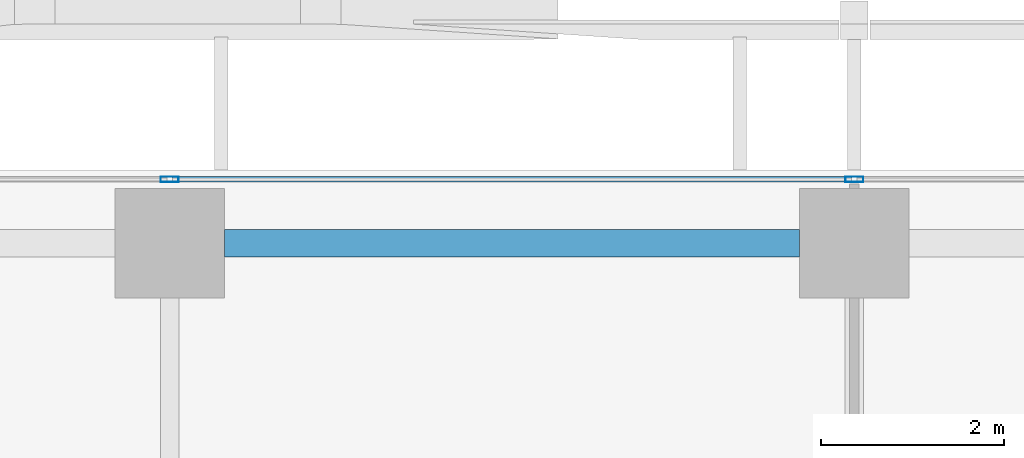
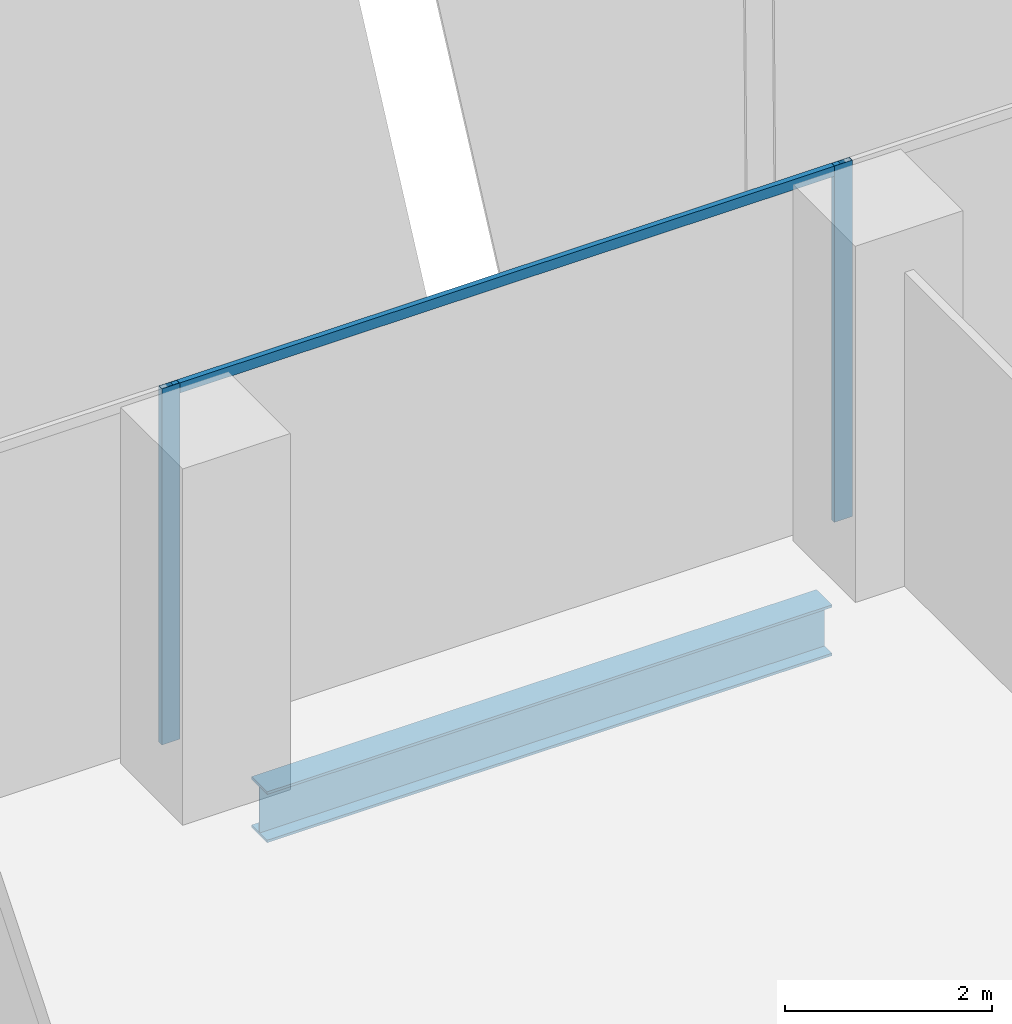
# One storey, part 18 of 34: 3 members, 1 beam, 1 element without a shape of its own.
"""IFC4 building model written with IfcOpenShell, lengths in metres."""

from ifc_helpers import new_model, si_unit, direction, frame, origin, origin_2d, place, context, subcontext, project, spatial, hollow_rectangle, i_section, extrude, source, transform, mapped, material, material_profile, profile_set, type_object, element, aggregate, save


model = new_model("IFC4")

# Units and contexts
model_context = context("Model", 3, precision=1e-05, world=origin(), true_north=direction((0.0, 1.0)))
body_context = subcontext(model_context, "Body", "Model", "MODEL_VIEW")
ifc_project = project(units=[si_unit("LENGTHUNIT", "METRE"), si_unit("AREAUNIT", "SQUARE_METRE"), si_unit("VOLUMEUNIT", "CUBIC_METRE"), si_unit("PLANEANGLEUNIT", "RADIAN"), si_unit("MASSUNIT", "GRAM", prefix="KILO")], contexts=[model_context])

# Site, building, storey
site_placement = place(None, origin())
site = spatial("IfcSite", under=ifc_project, at=site_placement, CompositionType="ELEMENT")
building_placement = place(site_placement, origin())
building = spatial("IfcBuilding", under=site, at=building_placement, Name="Khomas Fold Tower", CompositionType="ELEMENT")
storey_placement = place(building_placement, frame((0.0, 0.0, 73.5)))
storey = spatial("IfcBuildingStorey", under=building, at=storey_placement, Name="L15", CompositionType="ELEMENT", Elevation=73.5)

# Beam
ifc_material_1 = material(Name="Steel S355", Category="steel")
ifc_material_profile_1 = material_profile(ifc_material_1, i_section(OverallWidth=0.300048828125, OverallDepth=0.60009765625, WebThickness=0.015380859375, FlangeThickness=0.030029296875, at=origin_2d()), Name="HE 600 B")
ifc_profile_set_1 = profile_set([ifc_material_profile_1], Name="Steel S355")
beam_type = type_object("IfcBeamType", Name="HE 600 B spandrel SB1", PredefinedType="SPANDREL", material=ifc_profile_set_1)
shared_shape_1 = source(origin(), body_context, "Body", "SweptSolid", [
    extrude(i_section(OverallWidth=0.300048828125, OverallDepth=0.60009765625, WebThickness=0.015380859375, FlangeThickness=0.030029296875, at=origin_2d()), origin(), (0.0, 0.0, 1.0), 6.2998046875),
])
beam_placement = place(storey_placement, frame((35.10009765625, 53.199951171875, -0.60009765625), z_axis=(1.0, 0.0, 0.0), x_axis=(0.0, 1.0, 0.0)))
element("IfcBeam", 1, at=beam_placement, inside=storey, type_object=beam_type, Name="SB1", PredefinedType="SPANDREL", context=body_context, shape_type="MappedRepresentation", body=[
    mapped(shared_shape_1, transform((0.0, 0.0, 0.0))),
])

# Curtain wall, members
ifc_material_2 = material(Name="Aluminium framed double glazing", Category="aluminium")
curtain_wall_type = type_object("IfcCurtainWallType", Name="SK-Unitised clear-glass wall, growing floors CW1", PredefinedType="NOTDEFINED", material=ifc_material_2)
curtain_wall_placement = place(storey_placement, origin())
curtain_wall = element("IfcCurtainWall", 2, at=curtain_wall_placement, inside=storey, type_object=curtain_wall_type, Name="CW1 run L15 06-0", PredefinedType="NOTDEFINED")
ifc_material_3 = material(Name="Aluminium", Category="aluminium")
ifc_material_profile_2 = material_profile(ifc_material_3, hollow_rectangle(XDim=0.06005859375, YDim=0.1201171875, WallThickness=0.00390625, at=origin_2d()), Name="SK-Unitised clear-glass wall, growing floors transom CW1-T")
ifc_profile_set_2 = profile_set([ifc_material_profile_2], Name="Aluminium")
member_type_1 = type_object("IfcMemberType", Name="SK-Unitised clear-glass wall, growing floors transom CW1-T", PredefinedType="USERDEFINED", material=ifc_profile_set_2)
shared_shape_2 = source(origin(), body_context, "Body", "SweptSolid", [
    extrude(hollow_rectangle(XDim=0.06005859375, YDim=0.1201171875, WallThickness=0.00390625, at=origin_2d()), origin(), (0.0, 0.0, 1.0), 7.43994140625),
])
member_1_placement = place(storey_placement, frame((41.969970703125, 53.89990234375, 4.139892578125), z_axis=(-1.0, 0.0, 0.0), x_axis=(0.0, -1.0, 0.0)))
member_1 = element("IfcMember", 3, at=member_1_placement, type_object=member_type_1, Name="CW1 transom 3", ObjectType="TRANSOM", PredefinedType="USERDEFINED", context=body_context, shape_type="MappedRepresentation", body=[
    mapped(shared_shape_2, transform((0.0, 0.0, 0.0))),
])
ifc_material_4 = material(Name="Aluminium", Category="aluminium")
ifc_material_profile_3 = material_profile(ifc_material_4, hollow_rectangle(XDim=0.06005859375, YDim=0.199951171875, WallThickness=0.00390625, at=origin_2d()), Name="SK-Unitised clear-glass wall, growing floors mullion CW1-M")
ifc_profile_set_3 = profile_set([ifc_material_profile_3], Name="Aluminium")
member_type_2 = type_object("IfcMemberType", Name="SK-Unitised clear-glass wall, growing floors mullion CW1-M", PredefinedType="MULLION", material=ifc_profile_set_3)
shared_shape_3 = source(origin(), body_context, "Body", "SweptSolid", [
    extrude(hollow_rectangle(XDim=0.06005859375, YDim=0.199951171875, WallThickness=0.00390625, at=origin_2d()), origin(), (0.0, 0.0, 1.0), 4.199951171875),
])
member_2_placement = place(storey_placement, frame((42.0, 53.89990234375, 0.0), z_axis=(0.0, 0.0, 1.0), x_axis=(0.0, -1.0, 0.0)))
member_2 = element("IfcMember", 4, at=member_2_placement, type_object=member_type_2, Name="CW1 mullion 3", PredefinedType="MULLION", context=body_context, shape_type="MappedRepresentation", body=[
    mapped(shared_shape_3, transform((0.0, 0.0, 0.0))),
])
member_3_placement = place(storey_placement, frame((34.5, 53.89990234375, 0.0), z_axis=(0.0, 0.0, 1.0), x_axis=(0.0, -1.0, 0.0)))
member_3 = element("IfcMember", 5, at=member_3_placement, type_object=member_type_2, Name="CW1 mullion 4", PredefinedType="MULLION", context=body_context, shape_type="MappedRepresentation", body=[
    mapped(shared_shape_3, transform((0.0, 0.0, 0.0))),
])
aggregate(curtain_wall, [member_2, member_3, member_1])

save(model, "model.ifc")
